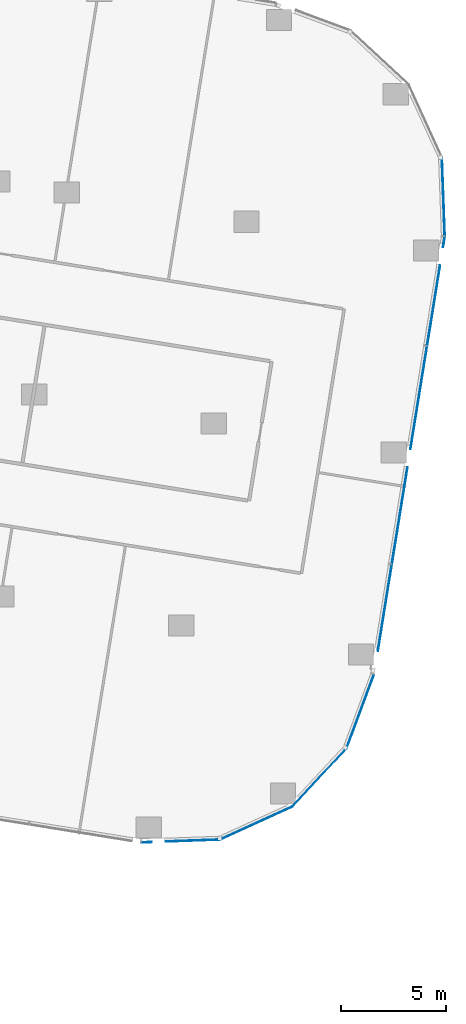
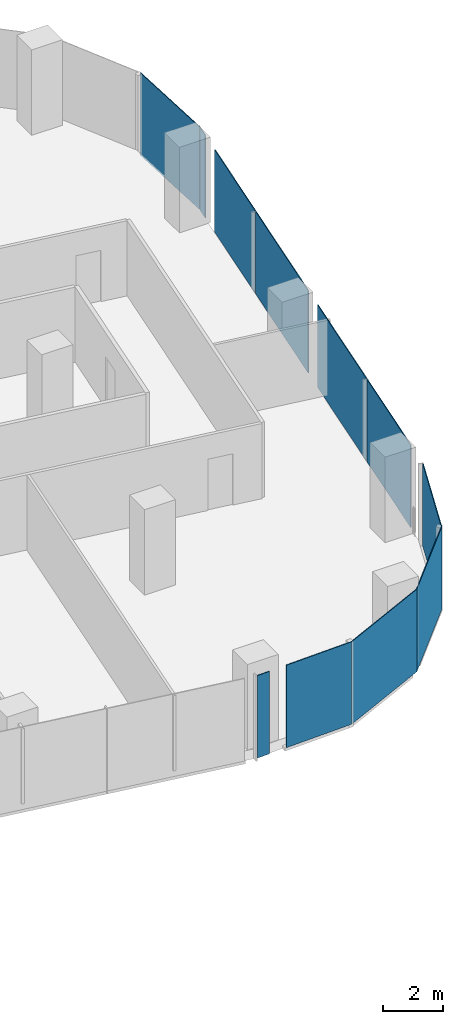
# One storey, part 22 of 34: 11 plates, 6 elements without a shape of their own.
"""IFC4 building model written with IfcOpenShell, lengths in metres."""

from ifc_helpers import new_model, si_unit, direction, frame, origin, origin_2d, place, context, subcontext, project, spatial, rectangle, extrude, material, layer, layer_set, type_object, element, aggregate, save


model = new_model("IFC4")

# Units and contexts
model_context = context("Model", 3, precision=1e-05, world=origin(), true_north=direction((0.0, 1.0)))
body_context = subcontext(model_context, "Body", "Model", "MODEL_VIEW")
ifc_project = project(units=[si_unit("LENGTHUNIT", "METRE"), si_unit("AREAUNIT", "SQUARE_METRE"), si_unit("VOLUMEUNIT", "CUBIC_METRE"), si_unit("PLANEANGLEUNIT", "RADIAN"), si_unit("MASSUNIT", "GRAM", prefix="KILO")], contexts=[model_context])

# Site, building, storey
site_placement = place(None, origin())
site = spatial("IfcSite", under=ifc_project, at=site_placement, CompositionType="ELEMENT")
building_placement = place(site_placement, origin())
building = spatial("IfcBuilding", under=site, at=building_placement, Name="Orlundy Tower", CompositionType="ELEMENT")
storey_placement = place(building_placement, frame((0.0, 0.0, 130.699951171875)))
storey = spatial("IfcBuildingStorey", under=building, at=storey_placement, Name="L33", CompositionType="ELEMENT", Elevation=130.699951171875)

# Curtain wall, plate
ifc_material_1 = material(Name="Aluminium bronze anodised", Category="aluminium")
curtain_wall_type = type_object("IfcCurtainWallType", Name="CW1 wall", PredefinedType="NOTDEFINED", material=ifc_material_1)
curtain_wall_1_placement = place(storey_placement, origin())
curtain_wall_1 = element("IfcCurtainWall", 1, at=curtain_wall_1_placement, inside=storey, type_object=curtain_wall_type, Name="CW1 run 010", PredefinedType="NOTDEFINED")
ifc_material_2 = material(Name="Tinted glass", Category="glass")
ifc_layer = layer(ifc_material_2, 0.031982421875)
ifc_layer_set = layer_set([ifc_layer], Name="CW1 glass panel 32")
plate_type = type_object("IfcPlateType", Name="CW1 glass panel 32", PredefinedType="CURTAIN_PANEL", material=ifc_layer_set)
plate_1_placement = place(storey_placement, frame((60.508544921875, 2.765625, -0.27978515625), z_axis=(0.0, 0.0, 1.0), x_axis=(0.036422900353, -0.999336466026, 0.0)))
plate_1 = element("IfcPlate", 2, at=plate_1_placement, type_object=plate_type, Name="CW1 panel", PredefinedType="CURTAIN_PANEL", context=body_context, shape_type="SweptSolid", body=[
    extrude(rectangle(XDim=3.730224609375, YDim=0.031982421875, at=origin_2d()), origin(), (0.0, 0.0, 1.0), 3.3798828125),
])
aggregate(curtain_wall_1, [plate_1])

# Curtain wall, plates
curtain_wall_2_placement = place(storey_placement, origin())
curtain_wall_2 = element("IfcCurtainWall", 3, at=curtain_wall_2_placement, inside=storey, type_object=curtain_wall_type, Name="CW1 run 011", PredefinedType="NOTDEFINED")
plate_2_placement = place(storey_placement, frame((60.533203125, 0.602783203125, -0.27978515625), z_axis=(0.0, 0.0, 1.0), x_axis=(-0.159331248677, -0.987225178566, 0.0)))
plate_2 = element("IfcPlate", 4, at=plate_2_placement, type_object=plate_type, Name="CW1 panel", PredefinedType="CURTAIN_PANEL", context=body_context, shape_type="SweptSolid", body=[
    extrude(rectangle(XDim=0.505126953125, YDim=0.031982421875, at=origin_2d()), origin(), (0.0, 0.0, 1.0), 3.3798828125),
])
plate_3_placement = place(storey_placement, frame((60.04833984375, -2.40234375, -0.27978515625), z_axis=(0.0, 0.0, 1.0), x_axis=(-0.159331248677, -0.987225178566, 0.0)))
plate_3 = element("IfcPlate", 5, at=plate_3_placement, type_object=plate_type, Name="CW1 panel", PredefinedType="CURTAIN_PANEL", context=body_context, shape_type="SweptSolid", body=[
    extrude(rectangle(XDim=3.839599609375, YDim=0.031982421875, at=origin_2d()), origin(), (0.0, 0.0, 1.0), 3.3798828125),
])
plate_4_placement = place(storey_placement, frame((59.34130859375, -6.783203125, -0.27978515625), z_axis=(0.0, 0.0, 1.0), x_axis=(-0.159331248677, -0.987225178566, 0.0)))
plate_4 = element("IfcPlate", 6, at=plate_4_placement, type_object=plate_type, Name="CW1 panel", PredefinedType="CURTAIN_PANEL", context=body_context, shape_type="SweptSolid", body=[
    extrude(rectangle(XDim=4.935791015625, YDim=0.031982421875, at=origin_2d()), origin(), (0.0, 0.0, 1.0), 3.3798828125),
])
plate_5_placement = place(storey_placement, frame((58.43896484375, -12.373291015625, -0.27978515625), z_axis=(0.0, 0.0, 1.0), x_axis=(-0.159331248677, -0.987225178566, 0.0)))
plate_5 = element("IfcPlate", 7, at=plate_5_placement, type_object=plate_type, Name="CW1 panel", PredefinedType="CURTAIN_PANEL", context=body_context, shape_type="SweptSolid", body=[
    extrude(rectangle(XDim=4.6396484375, YDim=0.031982421875, at=origin_2d()), origin(), (0.0, 0.0, 1.0), 3.3798828125),
])
plate_6_placement = place(storey_placement, frame((57.732177734375, -16.752685546875, -0.27978515625), z_axis=(0.0, 0.0, 1.0), x_axis=(-0.159331248677, -0.987225178566, 0.0)))
plate_6 = element("IfcPlate", 8, at=plate_6_placement, type_object=plate_type, Name="CW1 panel", PredefinedType="CURTAIN_PANEL", context=body_context, shape_type="SweptSolid", body=[
    extrude(rectangle(XDim=4.13232421875, YDim=0.031982421875, at=origin_2d()), origin(), (0.0, 0.0, 1.0), 3.3798828125),
])
aggregate(curtain_wall_2, [plate_2, plate_3, plate_4, plate_5, plate_6])

# Curtain wall, plate
curtain_wall_3_placement = place(storey_placement, origin())
curtain_wall_3 = element("IfcCurtainWall", 9, at=curtain_wall_3_placement, inside=storey, type_object=curtain_wall_type, Name="CW1 run 012", PredefinedType="NOTDEFINED")
plate_7_placement = place(storey_placement, frame((56.56689453125, -21.65869140625, -0.27978515625), z_axis=(0.0, 0.0, 1.0), x_axis=(-0.348816372674, -0.937191089455, 0.0)))
plate_7 = element("IfcPlate", 10, at=plate_7_placement, type_object=plate_type, Name="CW1 panel", PredefinedType="CURTAIN_PANEL", context=body_context, shape_type="SweptSolid", body=[
    extrude(rectangle(XDim=3.73046875, YDim=0.031982421875, at=origin_2d()), origin(), (0.0, 0.0, 1.0), 3.3798828125),
])
aggregate(curtain_wall_3, [plate_7])

curtain_wall_4_placement = place(storey_placement, origin())
curtain_wall_4 = element("IfcCurtainWall", 11, at=curtain_wall_4_placement, inside=storey, type_object=curtain_wall_type, Name="CW1 run 013", PredefinedType="NOTDEFINED")
plate_8_placement = place(storey_placement, frame((54.632080078125, -24.78759765625, -0.27978515625), z_axis=(0.0, 0.0, 1.0), x_axis=(-0.681009748469, -0.732274349196, 0.0)))
plate_8 = element("IfcPlate", 12, at=plate_8_placement, type_object=plate_type, Name="CW1 panel", PredefinedType="CURTAIN_PANEL", context=body_context, shape_type="SweptSolid", body=[
    extrude(rectangle(XDim=3.771484375, YDim=0.031982421875, at=origin_2d()), origin(), (0.0, 0.0, 1.0), 3.3798828125),
])
aggregate(curtain_wall_4, [plate_8])

curtain_wall_5_placement = place(storey_placement, origin())
curtain_wall_5 = element("IfcCurtainWall", 13, at=curtain_wall_5_placement, inside=storey, type_object=curtain_wall_type, Name="CW1 run 014", PredefinedType="NOTDEFINED")
plate_9_placement = place(storey_placement, frame((51.63330078125, -26.953125, -0.27978515625), z_axis=(0.0, 0.0, 1.0), x_axis=(-0.909328663876, -0.416078575575, 0.0)))
plate_9 = element("IfcPlate", 14, at=plate_9_placement, type_object=plate_type, Name="CW1 panel", PredefinedType="CURTAIN_PANEL", context=body_context, shape_type="SweptSolid", body=[
    extrude(rectangle(XDim=3.771240234375, YDim=0.031982421875, at=origin_2d()), origin(), (0.0, 0.0, 1.0), 3.3798828125),
])
aggregate(curtain_wall_5, [plate_9])

# Curtain wall, plates
curtain_wall_6_placement = place(storey_placement, origin())
curtain_wall_6 = element("IfcCurtainWall", 15, at=curtain_wall_6_placement, inside=storey, type_object=curtain_wall_type, Name="CW1 run 015", PredefinedType="NOTDEFINED")
plate_10_placement = place(storey_placement, frame((48.626708984375, -27.78466796875, -0.27978515625), z_axis=(0.0, 0.0, 1.0), x_axis=(-0.999336823804, -0.036413082656, 0.0)))
plate_10 = element("IfcPlate", 16, at=plate_10_placement, type_object=plate_type, Name="CW1 panel", PredefinedType="CURTAIN_PANEL", context=body_context, shape_type="SweptSolid", body=[
    extrude(rectangle(XDim=2.585205078125, YDim=0.031982421875, at=origin_2d()), origin(), (0.0, 0.0, 1.0), 3.3798828125),
])
plate_11_placement = place(storey_placement, frame((46.430908203125, -27.86474609375, -0.27978515625), z_axis=(0.0, 0.0, 1.0), x_axis=(-0.999336823804, -0.036413082656, 0.0)))
plate_11 = element("IfcPlate", 17, at=plate_11_placement, type_object=plate_type, Name="CW1 panel", PredefinedType="CURTAIN_PANEL", context=body_context, shape_type="SweptSolid", body=[
    extrude(rectangle(XDim=0.482421875, YDim=0.031982421875, at=origin_2d()), origin(), (0.0, 0.0, 1.0), 3.3798828125),
])
aggregate(curtain_wall_6, [plate_10, plate_11])

save(model, "model.ifc")
